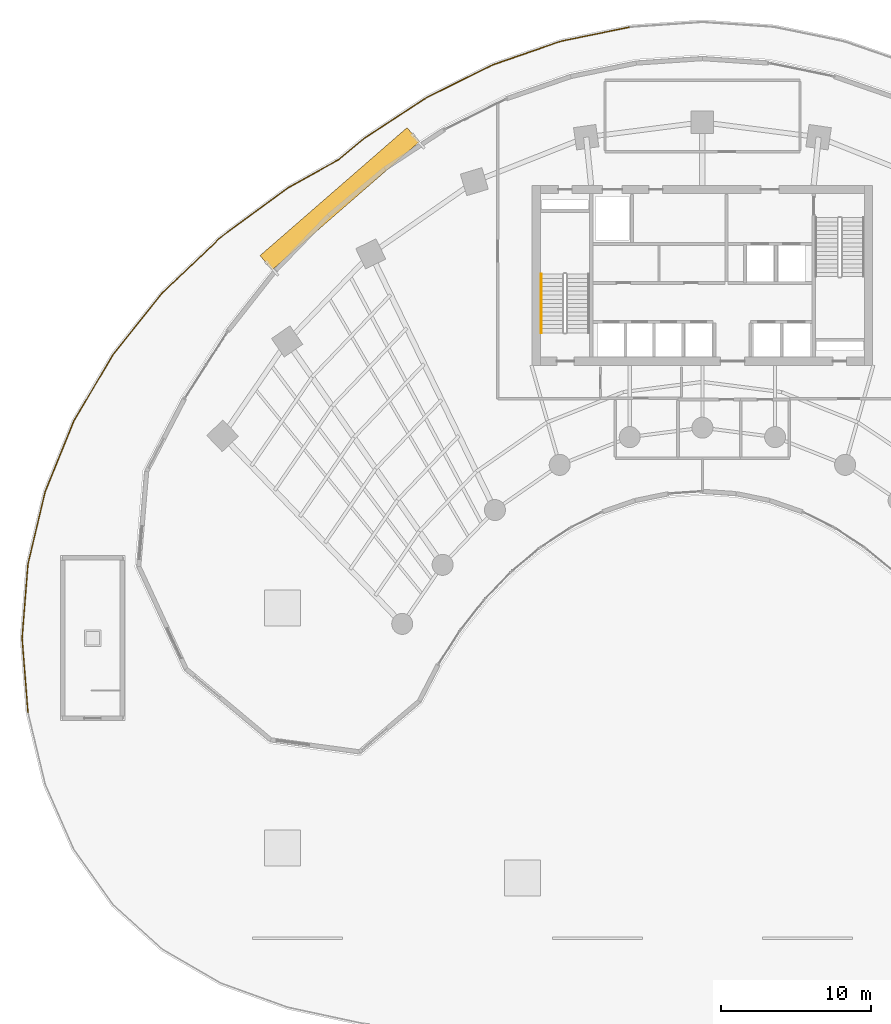
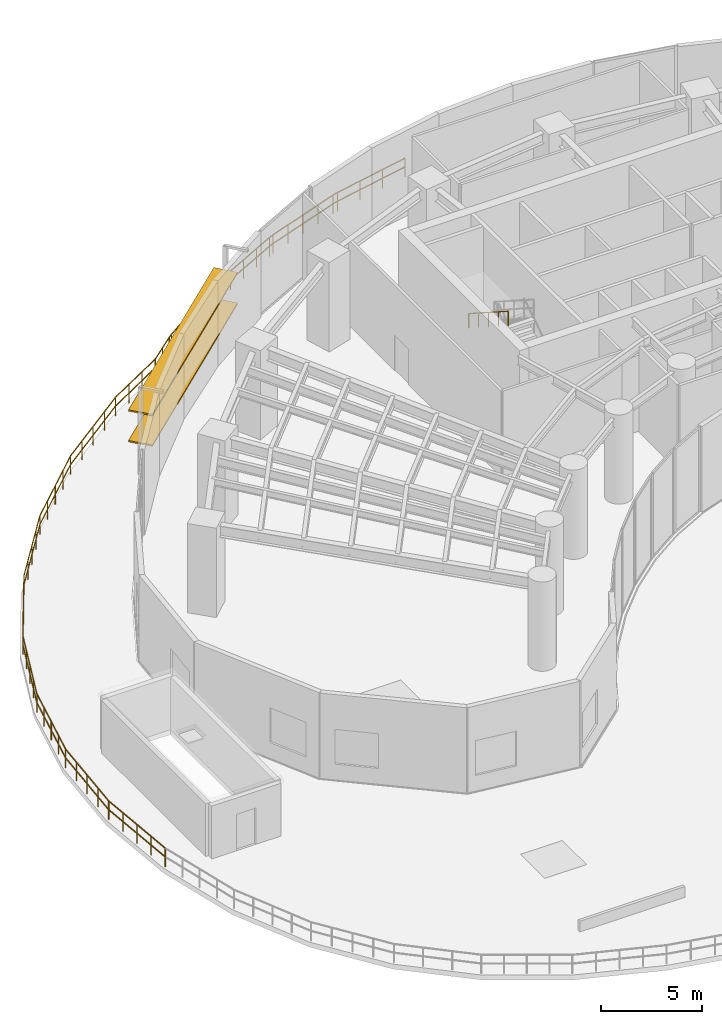
# One storey, part 15 of 17: 3 railings, 2 shading devices.
"""IFC4 building model written with IfcOpenShell, lengths in metres."""

from ifc_helpers import new_model, si_unit, direction, frame, origin, origin_2d, place, context, subcontext, project, spatial, rectangle, extrude, source, transform, mapped, material, material_profile, profile_set, type_object, type_shapes, element, save


model = new_model("IFC4")

# Units and contexts
model_context = context("Model", 3, precision=1e-05, world=origin(), true_north=direction((0.0, 1.0)))
body_context = subcontext(model_context, "Body", "Model", "MODEL_VIEW")
ifc_project = project(units=[si_unit("LENGTHUNIT", "METRE"), si_unit("AREAUNIT", "SQUARE_METRE"), si_unit("VOLUMEUNIT", "CUBIC_METRE"), si_unit("PLANEANGLEUNIT", "RADIAN"), si_unit("MASSUNIT", "GRAM", prefix="KILO")], contexts=[model_context])

# Site, building, storey
site_placement = place(None, origin())
site = spatial("IfcSite", under=ifc_project, at=site_placement, CompositionType="ELEMENT")
building_placement = place(site_placement, origin())
building = spatial("IfcBuilding", under=site, at=building_placement, Name="Breltana Convention Tower", CompositionType="ELEMENT")
storey_placement = place(building_placement, frame((0.0, 0.0, 30.0)))
storey = spatial("IfcBuildingStorey", under=building, at=storey_placement, Name="L05", CompositionType="ELEMENT", Elevation=30.0)

# Railings
ifc_material_1 = material(Name="Stainless Steel 316L", Category="steel")
railing_type_1 = type_object("IfcRailingType", Name="RL-BALUSTRADE-1150", PredefinedType="BALUSTRADE", material=ifc_material_1)
railing_1_placement = place(storey_placement, frame((3.028076171875, 37.06201171875, 0.0)))
element("IfcRailing", 1, at=railing_1_placement, inside=storey, type_object=railing_type_1, Name="L05 perimeter balustrade 4", PredefinedType="BALUSTRADE", context=body_context, shape_type="SweptSolid", body=[
    extrude(rectangle(XDim=0.048095703125, YDim=0.048095703125, at=origin_2d()), frame((0.0, 0.0, 1.1259765625), z_axis=(-0.07827193164, 0.996932046188, 0.0), x_axis=(-0.996932046188, -0.07827193164, 0.0)), (0.0, 0.0, 1.0), 4.953125),
    extrude(rectangle(XDim=0.048095703125, YDim=0.048095703125, at=origin_2d()), frame((0.0, 0.0, 0.597900390625), z_axis=(-0.07827193164, 0.996932046188, 0.0), x_axis=(-0.996932046188, -0.07827193164, 0.0)), (0.0, 0.0, 1.0), 4.953125),
    extrude(rectangle(XDim=0.048095703125, YDim=0.048095703125, at=origin_2d()), frame((-0.3876953125, 4.93798828125, 1.1259765625), z_axis=(0.07826808567, 0.996932348139, 0.0), x_axis=(-0.996932348139, 0.07826808567, 0.0)), (0.0, 0.0, 1.0), 4.953369140625),
    extrude(rectangle(XDim=0.048095703125, YDim=0.048095703125, at=origin_2d()), frame((-0.3876953125, 4.93798828125, 0.597900390625), z_axis=(0.07826808567, 0.996932348139, 0.0), x_axis=(-0.996932348139, 0.07826808567, 0.0)), (0.0, 0.0, 1.0), 4.953369140625),
    extrude(rectangle(XDim=0.048095703125, YDim=0.048095703125, at=origin_2d()), frame((0.0, 9.876220703125, 1.1259765625), z_axis=(0.231675650055, 0.972793088571, 0.0), x_axis=(-0.972793088571, 0.231675650055, 0.0)), (0.0, 0.0, 1.0), 4.98974609375),
    extrude(rectangle(XDim=0.048095703125, YDim=0.048095703125, at=origin_2d()), frame((0.0, 9.876220703125, 0.597900390625), z_axis=(0.231675650055, 0.972793088571, 0.0), x_axis=(-0.972793088571, 0.231675650055, 0.0)), (0.0, 0.0, 1.0), 4.98974609375),
    extrude(rectangle(XDim=0.048095703125, YDim=0.048095703125, at=origin_2d()), frame((1.156005859375, 14.730224609375, 1.1259765625), z_axis=(0.376542700489, 0.92639926312, 0.0), x_axis=(-0.92639926312, 0.376542700489, 0.0)), (0.0, 0.0, 1.0), 5.059814453125),
    extrude(rectangle(XDim=0.048095703125, YDim=0.048095703125, at=origin_2d()), frame((1.156005859375, 14.730224609375, 0.597900390625), z_axis=(0.376542700489, 0.92639926312, 0.0), x_axis=(-0.92639926312, 0.376542700489, 0.0)), (0.0, 0.0, 1.0), 5.059814453125),
    extrude(rectangle(XDim=0.048095703125, YDim=0.048095703125, at=origin_2d()), frame((3.061279296875, 19.417724609375, 1.1259765625), z_axis=(0.508411872075, 0.861114027486, 0.0), x_axis=(-0.861114027486, 0.508411872075, 0.0)), (0.0, 0.0, 1.0), 5.156982421875),
    extrude(rectangle(XDim=0.048095703125, YDim=0.048095703125, at=origin_2d()), frame((3.061279296875, 19.417724609375, 0.597900390625), z_axis=(0.508411872075, 0.861114027486, 0.0), x_axis=(-0.861114027486, 0.508411872075, 0.0)), (0.0, 0.0, 1.0), 5.156982421875),
    extrude(rectangle(XDim=0.048095703125, YDim=0.048095703125, at=origin_2d()), frame((5.68310546875, 23.8583984375, 1.1259765625), z_axis=(0.624757149236, 0.780819124047, 0.0), x_axis=(-0.780819124047, 0.624757149236, 0.0)), (0.0, 0.0, 1.0), 5.2734375),
    extrude(rectangle(XDim=0.048095703125, YDim=0.048095703125, at=origin_2d()), frame((5.68310546875, 23.8583984375, 0.597900390625), z_axis=(0.624757149236, 0.780819124047, 0.0), x_axis=(-0.780819124047, 0.624757149236, 0.0)), (0.0, 0.0, 1.0), 5.2734375),
    extrude(rectangle(XDim=0.048095703125, YDim=0.048095703125, at=origin_2d()), frame((8.977783203125, 27.97607421875, 1.1259765625), z_axis=(0.724143306529, 0.6896495281, 0.0), x_axis=(-0.6896495281, 0.724143306529, 0.0)), (0.0, 0.0, 1.0), 5.400390625),
    extrude(rectangle(XDim=0.048095703125, YDim=0.048095703125, at=origin_2d()), frame((8.977783203125, 27.97607421875, 0.597900390625), z_axis=(0.724143306529, 0.6896495281, 0.0), x_axis=(-0.6896495281, 0.724143306529, 0.0)), (0.0, 0.0, 1.0), 5.400390625),
    extrude(rectangle(XDim=0.048095703125, YDim=0.048095703125, at=origin_2d()), frame((12.888427734375, 31.700439453125, 1.1259765625), z_axis=(0.806778248651, 0.590854345422, 0.0), x_axis=(-0.590854345422, 0.806778248651, 0.0)), (0.0, 0.0, 1.0), 5.529052734375),
    extrude(rectangle(XDim=0.048095703125, YDim=0.048095703125, at=origin_2d()), frame((12.888427734375, 31.700439453125, 0.597900390625), z_axis=(0.806778248651, 0.590854345422, 0.0), x_axis=(-0.590854345422, 0.806778248651, 0.0)), (0.0, 0.0, 1.0), 5.529052734375),
    extrude(rectangle(XDim=0.048095703125, YDim=0.048095703125, at=origin_2d()), frame((17.34912109375, 34.96728515625, 1.1259765625), z_axis=(0.873221104431, 0.48732422757, 0.0), x_axis=(-0.48732422757, 0.873221104431, 0.0)), (0.0, 0.0, 1.0), 3.820068359375),
    extrude(rectangle(XDim=0.048095703125, YDim=0.048095703125, at=origin_2d()), frame((17.34912109375, 34.96728515625, 0.597900390625), z_axis=(0.873221104431, 0.48732422757, 0.0), x_axis=(-0.48732422757, 0.873221104431, 0.0)), (0.0, 0.0, 1.0), 3.820068359375),
    extrude(rectangle(XDim=0.048095703125, YDim=0.048095703125, at=origin_2d()), frame((20.684814453125, 36.828857421875, 1.1259765625), z_axis=(0.849056603774, 0.528301886792, 0.0), x_axis=(-0.528301886792, 0.849056603774, 0.0)), (0.0, 0.0, 1.0), 0.012939453125),
    extrude(rectangle(XDim=0.048095703125, YDim=0.048095703125, at=origin_2d()), frame((20.684814453125, 36.828857421875, 0.597900390625), z_axis=(0.849056603774, 0.528301886792, 0.0), x_axis=(-0.528301886792, 0.849056603774, 0.0)), (0.0, 0.0, 1.0), 0.012939453125),
    extrude(rectangle(XDim=0.0419921875, YDim=0.0419921875, at=origin_2d()), origin(), (0.0, 0.0, 1.0), 1.101806640625),
    extrude(rectangle(XDim=0.0419921875, YDim=0.0419921875, at=origin_2d()), frame((-0.096923828125, 1.234375, 0.0)), (0.0, 0.0, 1.0), 1.101806640625),
    extrude(rectangle(XDim=0.0419921875, YDim=0.0419921875, at=origin_2d()), frame((-0.19384765625, 2.468994140625, 0.0)), (0.0, 0.0, 1.0), 1.101806640625),
    extrude(rectangle(XDim=0.0419921875, YDim=0.0419921875, at=origin_2d()), frame((-0.290771484375, 3.70361328125, 0.0)), (0.0, 0.0, 1.0), 1.101806640625),
    extrude(rectangle(XDim=0.0419921875, YDim=0.0419921875, at=origin_2d()), frame((-0.3876953125, 4.93798828125, 0.0)), (0.0, 0.0, 1.0), 1.101806640625),
    extrude(rectangle(XDim=0.0419921875, YDim=0.0419921875, at=origin_2d()), frame((-0.290771484375, 6.172607421875, 0.0)), (0.0, 0.0, 1.0), 1.101806640625),
    extrude(rectangle(XDim=0.0419921875, YDim=0.0419921875, at=origin_2d()), frame((-0.19384765625, 7.4072265625, 0.0)), (0.0, 0.0, 1.0), 1.101806640625),
    extrude(rectangle(XDim=0.0419921875, YDim=0.0419921875, at=origin_2d()), frame((-0.096923828125, 8.6416015625, 0.0)), (0.0, 0.0, 1.0), 1.101806640625),
    extrude(rectangle(XDim=0.0419921875, YDim=0.0419921875, at=origin_2d()), frame((0.0, 9.876220703125, 0.0)), (0.0, 0.0, 1.0), 1.101806640625),
    extrude(rectangle(XDim=0.0419921875, YDim=0.0419921875, at=origin_2d()), frame((0.2890625, 11.08984375, 0.0)), (0.0, 0.0, 1.0), 1.101806640625),
    extrude(rectangle(XDim=0.0419921875, YDim=0.0419921875, at=origin_2d()), frame((0.578125, 12.30322265625, 0.0)), (0.0, 0.0, 1.0), 1.101806640625),
    extrude(rectangle(XDim=0.0419921875, YDim=0.0419921875, at=origin_2d()), frame((0.866943359375, 13.5166015625, 0.0)), (0.0, 0.0, 1.0), 1.101806640625),
    extrude(rectangle(XDim=0.0419921875, YDim=0.0419921875, at=origin_2d()), frame((1.156005859375, 14.730224609375, 0.0)), (0.0, 0.0, 1.0), 1.101806640625),
    extrude(rectangle(XDim=0.0419921875, YDim=0.0419921875, at=origin_2d()), frame((1.63232421875, 15.902099609375, 0.0)), (0.0, 0.0, 1.0), 1.101806640625),
    extrude(rectangle(XDim=0.0419921875, YDim=0.0419921875, at=origin_2d()), frame((2.108642578125, 17.073974609375, 0.0)), (0.0, 0.0, 1.0), 1.101806640625),
    extrude(rectangle(XDim=0.0419921875, YDim=0.0419921875, at=origin_2d()), frame((2.5849609375, 18.245849609375, 0.0)), (0.0, 0.0, 1.0), 1.101806640625),
    extrude(rectangle(XDim=0.0419921875, YDim=0.0419921875, at=origin_2d()), frame((3.061279296875, 19.417724609375, 0.0)), (0.0, 0.0, 1.0), 1.101806640625),
    extrude(rectangle(XDim=0.0419921875, YDim=0.0419921875, at=origin_2d()), frame((3.716796875, 20.52783203125, 0.0)), (0.0, 0.0, 1.0), 1.101806640625),
    extrude(rectangle(XDim=0.0419921875, YDim=0.0419921875, at=origin_2d()), frame((4.3720703125, 21.63818359375, 0.0)), (0.0, 0.0, 1.0), 1.101806640625),
    extrude(rectangle(XDim=0.0419921875, YDim=0.0419921875, at=origin_2d()), frame((5.027587890625, 22.748291015625, 0.0)), (0.0, 0.0, 1.0), 1.101806640625),
    extrude(rectangle(XDim=0.0419921875, YDim=0.0419921875, at=origin_2d()), frame((5.68310546875, 23.8583984375, 0.0)), (0.0, 0.0, 1.0), 1.101806640625),
    extrude(rectangle(XDim=0.0419921875, YDim=0.0419921875, at=origin_2d()), frame((6.5068359375, 24.8876953125, 0.0)), (0.0, 0.0, 1.0), 1.101806640625),
    extrude(rectangle(XDim=0.0419921875, YDim=0.0419921875, at=origin_2d()), frame((7.33056640625, 25.917236328125, 0.0)), (0.0, 0.0, 1.0), 1.101806640625),
    extrude(rectangle(XDim=0.0419921875, YDim=0.0419921875, at=origin_2d()), frame((8.154052734375, 26.94677734375, 0.0)), (0.0, 0.0, 1.0), 1.101806640625),
    extrude(rectangle(XDim=0.0419921875, YDim=0.0419921875, at=origin_2d()), frame((8.977783203125, 27.97607421875, 0.0)), (0.0, 0.0, 1.0), 1.101806640625),
    extrude(rectangle(XDim=0.0419921875, YDim=0.0419921875, at=origin_2d()), frame((9.95556640625, 28.9072265625, 0.0)), (0.0, 0.0, 1.0), 1.101806640625),
    extrude(rectangle(XDim=0.0419921875, YDim=0.0419921875, at=origin_2d()), frame((10.93310546875, 29.83837890625, 0.0)), (0.0, 0.0, 1.0), 1.101806640625),
    extrude(rectangle(XDim=0.0419921875, YDim=0.0419921875, at=origin_2d()), frame((11.91064453125, 30.769287109375, 0.0)), (0.0, 0.0, 1.0), 1.101806640625),
    extrude(rectangle(XDim=0.0419921875, YDim=0.0419921875, at=origin_2d()), frame((12.888427734375, 31.700439453125, 0.0)), (0.0, 0.0, 1.0), 1.101806640625),
    extrude(rectangle(XDim=0.0419921875, YDim=0.0419921875, at=origin_2d()), frame((14.003662109375, 32.51708984375, 0.0)), (0.0, 0.0, 1.0), 1.101806640625),
    extrude(rectangle(XDim=0.0419921875, YDim=0.0419921875, at=origin_2d()), frame((15.11865234375, 33.333984375, 0.0)), (0.0, 0.0, 1.0), 1.101806640625),
    extrude(rectangle(XDim=0.0419921875, YDim=0.0419921875, at=origin_2d()), frame((16.23388671875, 34.150634765625, 0.0)), (0.0, 0.0, 1.0), 1.101806640625),
    extrude(rectangle(XDim=0.0419921875, YDim=0.0419921875, at=origin_2d()), frame((17.34912109375, 34.96728515625, 0.0)), (0.0, 0.0, 1.0), 1.101806640625),
    extrude(rectangle(XDim=0.0419921875, YDim=0.0419921875, at=origin_2d()), frame((18.4609375, 35.587890625, 0.0)), (0.0, 0.0, 1.0), 1.101806640625),
    extrude(rectangle(XDim=0.0419921875, YDim=0.0419921875, at=origin_2d()), frame((19.572998046875, 36.208251953125, 0.0)), (0.0, 0.0, 1.0), 1.101806640625),
    extrude(rectangle(XDim=0.0419921875, YDim=0.0419921875, at=origin_2d()), frame((20.684814453125, 36.828857421875, 0.0)), (0.0, 0.0, 1.0), 1.101806640625),
    extrude(rectangle(XDim=0.0419921875, YDim=0.0419921875, at=origin_2d()), frame((20.69580078125, 36.835693359375, 0.0)), (0.0, 0.0, 1.0), 1.101806640625),
])
railing_2_placement = place(storey_placement, frame((23.723876953125, 73.897705078125, 0.0)))
element("IfcRailing", 2, at=railing_2_placement, inside=storey, type_object=railing_type_1, Name="L05 perimeter balustrade 5", PredefinedType="BALUSTRADE", context=body_context, shape_type="SweptSolid", body=[
    extrude(rectangle(XDim=0.048095703125, YDim=0.048095703125, at=origin_2d()), frame((0.0, 0.0, 1.1259765625), z_axis=(0.802233221274, 0.59701076932, 0.0), x_axis=(-0.59701076932, 0.802233221274, 0.0)), (0.0, 0.0, 1.0), 0.01318359375),
    extrude(rectangle(XDim=0.048095703125, YDim=0.048095703125, at=origin_2d()), frame((0.0, 0.0, 0.597900390625), z_axis=(0.802233221274, 0.59701076932, 0.0), x_axis=(-0.59701076932, 0.802233221274, 0.0)), (0.0, 0.0, 1.0), 0.01318359375),
    extrude(rectangle(XDim=0.048095703125, YDim=0.048095703125, at=origin_2d()), frame((0.010498046875, 0.0078125, 1.1259765625), z_axis=(0.767880081354, 0.640593615844, 0.0), x_axis=(-0.640593615844, 0.767880081354, 0.0)), (0.0, 0.0, 1.0), 1.994873046875),
    extrude(rectangle(XDim=0.048095703125, YDim=0.048095703125, at=origin_2d()), frame((0.010498046875, 0.0078125, 0.597900390625), z_axis=(0.767880081354, 0.640593615844, 0.0), x_axis=(-0.640593615844, 0.767880081354, 0.0)), (0.0, 0.0, 1.0), 1.994873046875),
    extrude(rectangle(XDim=0.048095703125, YDim=0.048095703125, at=origin_2d()), frame((1.542236328125, 1.28564453125, 1.1259765625), z_axis=(0.803508444127, 0.595293356436, 0.0), x_axis=(-0.595293356436, 0.803508444127, 0.0)), (0.0, 0.0, 1.0), 0.26611328125),
    extrude(rectangle(XDim=0.048095703125, YDim=0.048095703125, at=origin_2d()), frame((1.542236328125, 1.28564453125, 0.597900390625), z_axis=(0.803508444127, 0.595293356436, 0.0), x_axis=(-0.595293356436, 0.803508444127, 0.0)), (0.0, 0.0, 1.0), 0.26611328125),
    extrude(rectangle(XDim=0.048095703125, YDim=0.048095703125, at=origin_2d()), frame((1.756103515625, 1.444091796875, 1.1259765625), z_axis=(0.835956067019, 0.548796368441, 0.0), x_axis=(-0.548796368441, 0.835956067019, 0.0)), (0.0, 0.0, 1.0), 4.763671875),
    extrude(rectangle(XDim=0.048095703125, YDim=0.048095703125, at=origin_2d()), frame((1.756103515625, 1.444091796875, 0.597900390625), z_axis=(0.835956067019, 0.548796368441, 0.0), x_axis=(-0.548796368441, 0.835956067019, 0.0)), (0.0, 0.0, 1.0), 4.763671875),
    extrude(rectangle(XDim=0.048095703125, YDim=0.048095703125, at=origin_2d()), frame((5.73828125, 4.058349609375, 1.1259765625), z_axis=(0.867815159833, 0.496887158583, 0.0), x_axis=(-0.496887158583, 0.867815159833, 0.0)), (0.0, 0.0, 1.0), 0.281005859375),
    extrude(rectangle(XDim=0.048095703125, YDim=0.048095703125, at=origin_2d()), frame((5.73828125, 4.058349609375, 0.597900390625), z_axis=(0.867815159833, 0.496887158583, 0.0), x_axis=(-0.496887158583, 0.867815159833, 0.0)), (0.0, 0.0, 1.0), 0.281005859375),
    extrude(rectangle(XDim=0.048095703125, YDim=0.048095703125, at=origin_2d()), frame((5.982177734375, 4.197998046875, 1.1259765625), z_axis=(0.895968339256, 0.444117929216, 0.0), x_axis=(-0.444117929216, 0.895968339256, 0.0)), (0.0, 0.0, 1.0), 4.641357421875),
    extrude(rectangle(XDim=0.048095703125, YDim=0.048095703125, at=origin_2d()), frame((5.982177734375, 4.197998046875, 0.597900390625), z_axis=(0.895968339256, 0.444117929216, 0.0), x_axis=(-0.444117929216, 0.895968339256, 0.0)), (0.0, 0.0, 1.0), 4.641357421875),
    extrude(rectangle(XDim=0.048095703125, YDim=0.048095703125, at=origin_2d()), frame((10.140625, 6.25927734375, 1.1259765625), z_axis=(0.922118112773, 0.386908498351, 0.0), x_axis=(-0.386908498351, 0.922118112773, 0.0)), (0.0, 0.0, 1.0), 0.294677734375),
    extrude(rectangle(XDim=0.048095703125, YDim=0.048095703125, at=origin_2d()), frame((10.140625, 6.25927734375, 0.597900390625), z_axis=(0.922118112773, 0.386908498351, 0.0), x_axis=(-0.386908498351, 0.922118112773, 0.0)), (0.0, 0.0, 1.0), 0.294677734375),
    extrude(rectangle(XDim=0.048095703125, YDim=0.048095703125, at=origin_2d()), frame((10.412353515625, 6.373291015625, 1.1259765625), z_axis=(0.94487611165, 0.327428058713, 0.0), x_axis=(-0.327428058713, 0.94487611165, 0.0)), (0.0, 0.0, 1.0), 4.54248046875),
    extrude(rectangle(XDim=0.048095703125, YDim=0.048095703125, at=origin_2d()), frame((10.412353515625, 6.373291015625, 0.597900390625), z_axis=(0.94487611165, 0.327428058713, 0.0), x_axis=(-0.327428058713, 0.94487611165, 0.0)), (0.0, 0.0, 1.0), 4.54248046875),
    extrude(rectangle(XDim=0.048095703125, YDim=0.048095703125, at=origin_2d()), frame((14.704345703125, 7.860595703125, 1.1259765625), z_axis=(0.964246196663, 0.265008060672, 0.0), x_axis=(-0.265008060672, 0.964246196663, 0.0)), (0.0, 0.0, 1.0), 0.305908203125),
    extrude(rectangle(XDim=0.048095703125, YDim=0.048095703125, at=origin_2d()), frame((14.704345703125, 7.860595703125, 0.597900390625), z_axis=(0.964246196663, 0.265008060672, 0.0), x_axis=(-0.265008060672, 0.964246196663, 0.0)), (0.0, 0.0, 1.0), 0.305908203125),
    extrude(rectangle(XDim=0.048095703125, YDim=0.048095703125, at=origin_2d()), frame((14.999267578125, 7.941650390625, 1.1259765625), z_axis=(0.979620328093, 0.200858190739, 0.0), x_axis=(-0.200858190739, 0.979620328093, 0.0)), (0.0, 0.0, 1.0), 4.472900390625),
    extrude(rectangle(XDim=0.048095703125, YDim=0.048095703125, at=origin_2d()), frame((14.999267578125, 7.941650390625, 0.597900390625), z_axis=(0.979620328093, 0.200858190739, 0.0), x_axis=(-0.200858190739, 0.979620328093, 0.0)), (0.0, 0.0, 1.0), 4.472900390625),
    extrude(rectangle(XDim=0.0419921875, YDim=0.0419921875, at=origin_2d()), origin(), (0.0, 0.0, 1.0), 1.101806640625),
    extrude(rectangle(XDim=0.0419921875, YDim=0.0419921875, at=origin_2d()), frame((0.010498046875, 0.0078125, 0.0)), (0.0, 0.0, 1.0), 1.101806640625),
    extrude(rectangle(XDim=0.0419921875, YDim=0.0419921875, at=origin_2d()), frame((0.7763671875, 0.646728515625, 0.0)), (0.0, 0.0, 1.0), 1.101806640625),
    extrude(rectangle(XDim=0.0419921875, YDim=0.0419921875, at=origin_2d()), frame((1.542236328125, 1.28564453125, 0.0)), (0.0, 0.0, 1.0), 1.101806640625),
    extrude(rectangle(XDim=0.0419921875, YDim=0.0419921875, at=origin_2d()), frame((1.756103515625, 1.444091796875, 0.0)), (0.0, 0.0, 1.0), 1.101806640625),
    extrude(rectangle(XDim=0.0419921875, YDim=0.0419921875, at=origin_2d()), frame((2.751708984375, 2.09765625, 0.0)), (0.0, 0.0, 1.0), 1.101806640625),
    extrude(rectangle(XDim=0.0419921875, YDim=0.0419921875, at=origin_2d()), frame((3.7470703125, 2.751220703125, 0.0)), (0.0, 0.0, 1.0), 1.101806640625),
    extrude(rectangle(XDim=0.0419921875, YDim=0.0419921875, at=origin_2d()), frame((4.74267578125, 3.40478515625, 0.0)), (0.0, 0.0, 1.0), 1.101806640625),
    extrude(rectangle(XDim=0.0419921875, YDim=0.0419921875, at=origin_2d()), frame((5.73828125, 4.058349609375, 0.0)), (0.0, 0.0, 1.0), 1.101806640625),
    extrude(rectangle(XDim=0.0419921875, YDim=0.0419921875, at=origin_2d()), frame((5.982177734375, 4.197998046875, 0.0)), (0.0, 0.0, 1.0), 1.101806640625),
    extrude(rectangle(XDim=0.0419921875, YDim=0.0419921875, at=origin_2d()), frame((7.021728515625, 4.71337890625, 0.0)), (0.0, 0.0, 1.0), 1.101806640625),
    extrude(rectangle(XDim=0.0419921875, YDim=0.0419921875, at=origin_2d()), frame((8.0615234375, 5.228515625, 0.0)), (0.0, 0.0, 1.0), 1.101806640625),
    extrude(rectangle(XDim=0.0419921875, YDim=0.0419921875, at=origin_2d()), frame((9.10107421875, 5.743896484375, 0.0)), (0.0, 0.0, 1.0), 1.101806640625),
    extrude(rectangle(XDim=0.0419921875, YDim=0.0419921875, at=origin_2d()), frame((10.140625, 6.25927734375, 0.0)), (0.0, 0.0, 1.0), 1.101806640625),
    extrude(rectangle(XDim=0.0419921875, YDim=0.0419921875, at=origin_2d()), frame((10.412353515625, 6.373291015625, 0.0)), (0.0, 0.0, 1.0), 1.101806640625),
    extrude(rectangle(XDim=0.0419921875, YDim=0.0419921875, at=origin_2d()), frame((11.4853515625, 6.7451171875, 0.0)), (0.0, 0.0, 1.0), 1.101806640625),
    extrude(rectangle(XDim=0.0419921875, YDim=0.0419921875, at=origin_2d()), frame((12.558349609375, 7.116943359375, 0.0)), (0.0, 0.0, 1.0), 1.101806640625),
    extrude(rectangle(XDim=0.0419921875, YDim=0.0419921875, at=origin_2d()), frame((13.63134765625, 7.48876953125, 0.0)), (0.0, 0.0, 1.0), 1.101806640625),
    extrude(rectangle(XDim=0.0419921875, YDim=0.0419921875, at=origin_2d()), frame((14.704345703125, 7.860595703125, 0.0)), (0.0, 0.0, 1.0), 1.101806640625),
    extrude(rectangle(XDim=0.0419921875, YDim=0.0419921875, at=origin_2d()), frame((14.999267578125, 7.941650390625, 0.0)), (0.0, 0.0, 1.0), 1.101806640625),
    extrude(rectangle(XDim=0.0419921875, YDim=0.0419921875, at=origin_2d()), frame((16.4599609375, 8.2412109375, 0.0)), (0.0, 0.0, 1.0), 1.101806640625),
    extrude(rectangle(XDim=0.0419921875, YDim=0.0419921875, at=origin_2d()), frame((17.92041015625, 8.54052734375, 0.0)), (0.0, 0.0, 1.0), 1.101806640625),
    extrude(rectangle(XDim=0.0419921875, YDim=0.0419921875, at=origin_2d()), frame((19.381103515625, 8.840087890625, 0.0)), (0.0, 0.0, 1.0), 1.101806640625),
])
railing_type_2 = type_object("IfcRailingType", Name="RL-STAIR-HANDRAIL-900", PredefinedType="HANDRAIL", material=ifc_material_1)
railing_3_placement = place(storey_placement, frame((37.25, 66.280029296875, 2.8798828125)))
element("IfcRailing", 3, at=railing_3_placement, inside=storey, type_object=railing_type_2, Name="L05 ST-1 stair handrail 2", PredefinedType="HANDRAIL", context=body_context, shape_type="SweptSolid", body=[
    extrude(rectangle(XDim=0.048095703125, YDim=0.048095703125, at=origin_2d()), frame((0.0, 0.0, 0.8759765625), z_axis=(0.0, -0.841171666519, 0.540768182723), x_axis=(1.0, 0.0, 0.0)), (0.0, 0.0, 1.0), 4.66015625),
    extrude(rectangle(XDim=0.0419921875, YDim=0.0419921875, at=origin_2d()), origin(), (0.0, 0.0, 1.0), 0.851806640625),
    extrude(rectangle(XDim=0.0419921875, YDim=0.0419921875, at=origin_2d()), frame((0.0, -0.97998046875, 0.6298828125)), (0.0, 0.0, 1.0), 0.851806640625),
    extrude(rectangle(XDim=0.0419921875, YDim=0.0419921875, at=origin_2d()), frame((0.0, -1.9599609375, 1.260009765625)), (0.0, 0.0, 1.0), 0.851806640625),
    extrude(rectangle(XDim=0.0419921875, YDim=0.0419921875, at=origin_2d()), frame((0.0, -2.93994140625, 1.89013671875)), (0.0, 0.0, 1.0), 0.851806640625),
    extrude(rectangle(XDim=0.0419921875, YDim=0.0419921875, at=origin_2d()), frame((0.0, -3.919921875, 2.52001953125)), (0.0, 0.0, 1.0), 0.851806640625),
])

# Shading devices
ifc_material_2 = material(Name="Limestone Warm Buff Honed", Category="masonry")
ifc_material_profile = material_profile(ifc_material_2, rectangle(XDim=1.25, YDim=0.090087890625, at=origin_2d()), Name="STN-LVR-1250X90")
ifc_profile_set = profile_set([ifc_material_profile], Name="Limestone Warm Buff Honed")
shading_device_type = type_object("IfcShadingDeviceType", Name="SHD-OUTER-SKIN-LIMESTONE-1250", PredefinedType="JALOUSIE", material=ifc_profile_set)
shared_shape = source(origin(), body_context, "Body", "SweptSolid", [
    extrude(rectangle(XDim=1.25, YDim=0.090087890625, at=origin_2d()), origin(), (0.0, 0.0, 1.0), 12.99462890625),
])
type_shapes(shading_device_type, [shared_shape])
for number, where, z_axis, x_axis, name in (
    (4, (18.9130859375, 67.039794921875, 1.857666015625), (0.754353477941, 0.656468453407, 0.0), (-0.656468453407, 0.754353477941, 0.0), "L05 outer skin warm limestone louvre 1.1"),
    (5, (18.9130859375, 67.039794921875, 3.715087890625), (0.754353477941, 0.656468453407, 0.0), (-0.656468453407, 0.754353477941, 0.0), "L05 outer skin warm limestone louvre 1.2"),
):
    element("IfcShadingDevice", number, at=place(storey_placement, frame(where, z_axis=z_axis, x_axis=x_axis)), inside=storey, type_object=shading_device_type, Name=name, PredefinedType="JALOUSIE", context=body_context, shape_type="MappedRepresentation", body=[
        mapped(shared_shape, transform((0.0, 0.0, 0.0), scale=1.0)),
    ])

save(model, "model.ifc")
